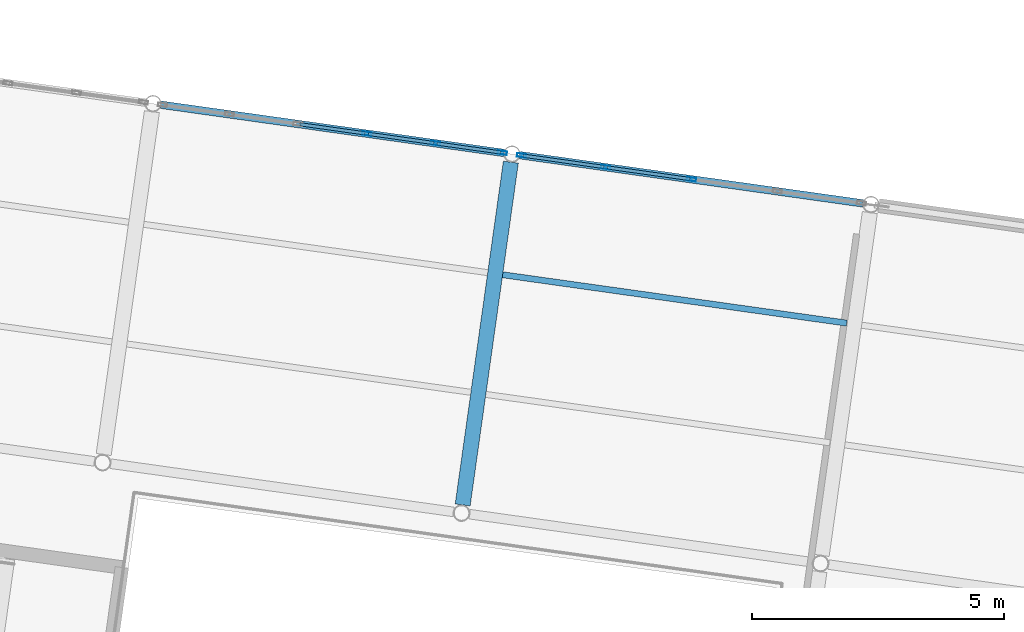
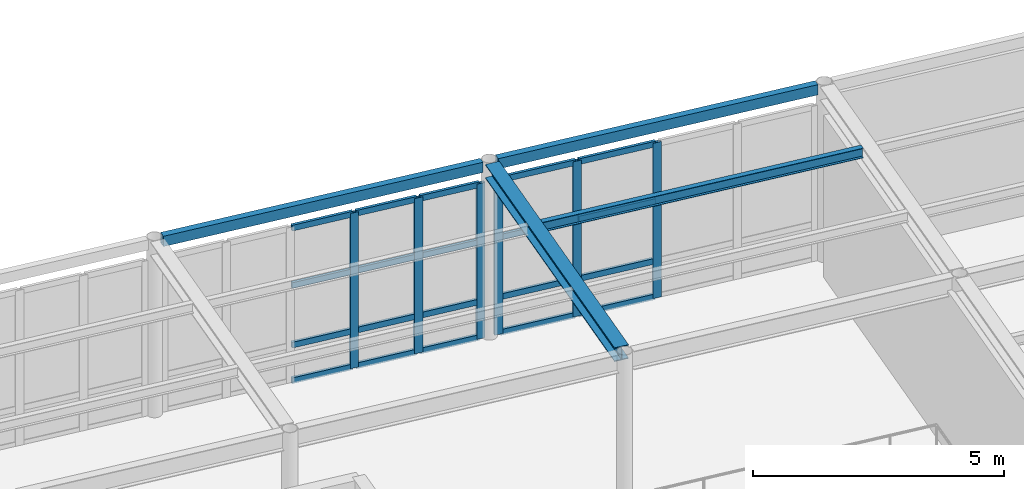
# One storey, part 40 of 80: 26 members, 4 beams, 2 elements without a shape of their own.
"""IFC4 building model written with IfcOpenShell, lengths in metres."""

from ifc_helpers import new_model, si_unit, direction, frame, origin, origin_2d, place, context, subcontext, project, spatial, hollow_rectangle, i_section, extrude, material, layer, layer_set, material_profile, profile_set, type_object, element, aggregate, save


model = new_model("IFC4")

# Units and contexts
model_context = context("Model", 3, precision=1e-05, world=origin(), true_north=direction((0.0, 1.0)))
body_context = subcontext(model_context, "Body", "Model", "MODEL_VIEW")
ifc_project = project(units=[si_unit("LENGTHUNIT", "METRE"), si_unit("AREAUNIT", "SQUARE_METRE"), si_unit("VOLUMEUNIT", "CUBIC_METRE"), si_unit("PLANEANGLEUNIT", "RADIAN"), si_unit("MASSUNIT", "GRAM", prefix="KILO")], contexts=[model_context])

# Site, building, storey
site_placement = place(None, origin())
site = spatial("IfcSite", under=ifc_project, at=site_placement, CompositionType="ELEMENT")
building_placement = place(site_placement, origin())
building = spatial("IfcBuilding", under=site, at=building_placement, Name="Kharisveld Research Institute", CompositionType="ELEMENT")
storey_placement = place(building_placement, frame((0.0, 0.0, 5.10009765625)))
storey = spatial("IfcBuildingStorey", under=building, at=storey_placement, Name="L01", CompositionType="ELEMENT", Elevation=5.10009765625)

# Beam
ifc_material_1 = material(Name="Steel S355JR", Category="steel")
ifc_material_profile_1 = material_profile(ifc_material_1, i_section(OverallWidth=0.300048828125, OverallDepth=0.340087890625, WebThickness=0.011962890625, FlangeThickness=0.021484375, at=origin_2d()))
ifc_profile_set_1 = profile_set([ifc_material_profile_1], Name="Steel S355JR")
beam_type_1 = type_object("IfcBeamType", Name="BM_ST_HEA300", PredefinedType="BEAM", material=ifc_profile_set_1)
beam_1_placement = place(storey_placement, frame((91.286376953125, 29.916259765625, 4.139892578125), z_axis=(0.139184107758, 0.990266521775, 0.0), x_axis=(-0.990266521775, 0.139184107758, 0.0)))
element("IfcBeam", 1, at=beam_1_placement, inside=storey, type_object=beam_type_1, Name="BM:V4:L01:V2_2", PredefinedType="BEAM", context=body_context, shape_type="SweptSolid", body=[
    extrude(i_section(OverallWidth=0.300048828125, OverallDepth=0.340087890625, WebThickness=0.011962890625, FlangeThickness=0.021484375, at=origin_2d()), origin(), (0.0, 0.0, 1.0), 6.8759765625),
])

# Curtain wall, members
ifc_material_2 = material(Name="Thermally Broken Aluminium Curtain Wall", Category="aluminium")
ifc_layer_1 = layer(ifc_material_2, 0.159912109375)
ifc_layer_set_1 = layer_set([ifc_layer_1], Name="CW_SYS_03")
curtain_wall_type_1 = type_object("IfcCurtainWallType", Name="CW_SYS_03", PredefinedType="NOTDEFINED", material=ifc_layer_set_1)
curtain_wall_1_placement = place(storey_placement, origin())
curtain_wall_1 = element("IfcCurtainWall", 2, at=curtain_wall_1_placement, inside=storey, type_object=curtain_wall_type_1, Name="CW:V4:L01:N1", PredefinedType="NOTDEFINED")
ifc_material_3 = material(Name="Anodised Aluminium AW-6063-T6", Category="aluminium")
ifc_material_profile_2 = material_profile(ifc_material_3, hollow_rectangle(XDim=0.070068359375, YDim=0.179931640625, WallThickness=0.00439453125, at=origin_2d()))
ifc_profile_set_2 = profile_set([ifc_material_profile_2], Name="Anodised Aluminium AW-6063-T6")
member_type_1 = type_object("IfcMemberType", Name="CW_MUL_180", PredefinedType="MULLION", material=ifc_profile_set_2)
member_1_placement = place(storey_placement, frame((89.3828125, 37.290771484375, 0.0), z_axis=(0.0, 0.0, 1.0), x_axis=(0.139173103207, 0.990268068426, 0.0)))
member_1 = element("IfcMember", 3, at=member_1_placement, type_object=member_type_1, Name="CW-03 mullion 4", PredefinedType="MULLION", context=body_context, shape_type="SweptSolid", body=[
    extrude(hollow_rectangle(XDim=0.070068359375, YDim=0.179931640625, WallThickness=0.00439453125, at=origin_2d()), origin(), (0.0, 0.0, 1.0), 3.77978515625),
])
member_2_placement = place(storey_placement, frame((90.746826171875, 37.09912109375, 0.0), z_axis=(0.0, 0.0, 1.0), x_axis=(0.139173103207, 0.990268068426, 0.0)))
member_2 = element("IfcMember", 4, at=member_2_placement, type_object=member_type_1, Name="CW-03 mullion 5", PredefinedType="MULLION", context=body_context, shape_type="SweptSolid", body=[
    extrude(hollow_rectangle(XDim=0.070068359375, YDim=0.179931640625, WallThickness=0.00439453125, at=origin_2d()), origin(), (0.0, 0.0, 1.0), 3.77978515625),
])
member_3_placement = place(storey_placement, frame((92.075927734375, 36.912353515625, 0.0), z_axis=(0.0, 0.0, 1.0), x_axis=(0.139173103207, 0.990268068426, 0.0)))
member_3 = element("IfcMember", 5, at=member_3_placement, type_object=member_type_1, Name="CW-03 mullion 6", PredefinedType="MULLION", context=body_context, shape_type="SweptSolid", body=[
    extrude(hollow_rectangle(XDim=0.070068359375, YDim=0.179931640625, WallThickness=0.00439453125, at=origin_2d()), origin(), (0.0, 0.0, 1.0), 3.77978515625),
])

ifc_material_4 = material(Name="Thermally Broken Aluminium Curtain Wall", Category="aluminium")
ifc_layer_2 = layer(ifc_material_4, 0.159912109375)
ifc_layer_set_2 = layer_set([ifc_layer_2], Name="CW_SYS_04")
curtain_wall_type_2 = type_object("IfcCurtainWallType", Name="CW_SYS_04", PredefinedType="NOTDEFINED", material=ifc_layer_set_2)
curtain_wall_2_placement = place(storey_placement, origin())
curtain_wall_2 = element("IfcCurtainWall", 6, at=curtain_wall_2_placement, inside=storey, type_object=curtain_wall_type_2, Name="CW:V4:L01:N2", PredefinedType="NOTDEFINED")
member_4_placement = place(storey_placement, frame((92.4560546875, 36.85888671875, 0.0), z_axis=(0.0, 0.0, 1.0), x_axis=(0.139173245605, 0.990268048413, 0.0)))
member_4 = element("IfcMember", 7, at=member_4_placement, type_object=member_type_1, Name="CW-04 mullion 1", PredefinedType="MULLION", context=body_context, shape_type="SweptSolid", body=[
    extrude(hollow_rectangle(XDim=0.070068359375, YDim=0.179931640625, WallThickness=0.00439453125, at=origin_2d()), origin(), (0.0, 0.0, 1.0), 3.77978515625),
])
member_5_placement = place(storey_placement, frame((94.126220703125, 36.624267578125, 0.0), z_axis=(0.0, 0.0, 1.0), x_axis=(0.139173245605, 0.990268048413, 0.0)))
member_5 = element("IfcMember", 8, at=member_5_placement, type_object=member_type_1, Name="CW-04 mullion 2", PredefinedType="MULLION", context=body_context, shape_type="SweptSolid", body=[
    extrude(hollow_rectangle(XDim=0.070068359375, YDim=0.179931640625, WallThickness=0.00439453125, at=origin_2d()), origin(), (0.0, 0.0, 1.0), 3.77978515625),
])
member_6_placement = place(storey_placement, frame((95.8310546875, 36.384765625, 0.0), z_axis=(0.0, 0.0, 1.0), x_axis=(0.139173245605, 0.990268048413, 0.0)))
member_6 = element("IfcMember", 9, at=member_6_placement, type_object=member_type_1, Name="CW-04 mullion 3", PredefinedType="MULLION", context=body_context, shape_type="SweptSolid", body=[
    extrude(hollow_rectangle(XDim=0.070068359375, YDim=0.179931640625, WallThickness=0.00439453125, at=origin_2d()), origin(), (0.0, 0.0, 1.0), 3.77978515625),
])

# Member
ifc_material_5 = material(Name="Anodised Aluminium AW-6063-T6", Category="aluminium")
ifc_material_profile_3 = material_profile(ifc_material_5, hollow_rectangle(XDim=0.06494140625, YDim=0.139892578125, WallThickness=0.00390625, at=origin_2d()))
ifc_profile_set_3 = profile_set([ifc_material_profile_3], Name="Anodised Aluminium AW-6063-T6")
member_type_2 = type_object("IfcMemberType", Name="CW_TRN_140", PredefinedType="USERDEFINED", material=ifc_profile_set_3)
member_7_placement = place(storey_placement, frame((88.0537109375, 37.477783203125, 0.032470703125), z_axis=(0.990249737739, -0.139303470555, 0.0), x_axis=(0.139303470555, 0.990249737739, 0.0)))
member_7 = element("IfcMember", 10, at=member_7_placement, type_object=member_type_2, Name="CW-03 transom 3.1", ObjectType="TRANSOM", PredefinedType="USERDEFINED", context=body_context, shape_type="SweptSolid", body=[
    extrude(hollow_rectangle(XDim=0.06494140625, YDim=0.139892578125, WallThickness=0.00390625, at=origin_2d()), origin(), (0.0, 0.0, 1.0), 1.307373046875),
])

member_8_placement = place(storey_placement, frame((88.0537109375, 37.477783203125, 0.89990234375), z_axis=(0.990249737739, -0.139303470555, 0.0), x_axis=(0.139303470555, 0.990249737739, 0.0)))
member_8 = element("IfcMember", 11, at=member_8_placement, type_object=member_type_2, Name="CW-03 transom 3.2", ObjectType="TRANSOM", PredefinedType="USERDEFINED", context=body_context, shape_type="SweptSolid", body=[
    extrude(hollow_rectangle(XDim=0.06494140625, YDim=0.139892578125, WallThickness=0.00390625, at=origin_2d()), origin(), (0.0, 0.0, 1.0), 1.307373046875),
])

member_9_placement = place(storey_placement, frame((88.0537109375, 37.477783203125, 2.349853515625), z_axis=(0.990249737739, -0.139303470555, 0.0), x_axis=(0.139303470555, 0.990249737739, 0.0)))
member_9 = element("IfcMember", 12, at=member_9_placement, type_object=member_type_2, Name="CW-03 transom 3.3", ObjectType="TRANSOM", PredefinedType="USERDEFINED", context=body_context, shape_type="SweptSolid", body=[
    extrude(hollow_rectangle(XDim=0.06494140625, YDim=0.139892578125, WallThickness=0.00390625, at=origin_2d()), origin(), (0.0, 0.0, 1.0), 1.307373046875),
])

member_10_placement = place(storey_placement, frame((88.0537109375, 37.477783203125, 3.747314453125), z_axis=(0.990249737739, -0.139303470555, 0.0), x_axis=(0.139303470555, 0.990249737739, 0.0)))
member_10 = element("IfcMember", 13, at=member_10_placement, type_object=member_type_2, Name="CW-03 transom 3.4", ObjectType="TRANSOM", PredefinedType="USERDEFINED", context=body_context, shape_type="SweptSolid", body=[
    extrude(hollow_rectangle(XDim=0.06494140625, YDim=0.139892578125, WallThickness=0.00390625, at=origin_2d()), origin(), (0.0, 0.0, 1.0), 1.307373046875),
])

member_11_placement = place(storey_placement, frame((89.41748046875, 37.2861328125, 0.032470703125), z_axis=(0.990249737739, -0.139303470555, 0.0), x_axis=(0.139303470555, 0.990249737739, 0.0)))
member_11 = element("IfcMember", 14, at=member_11_placement, type_object=member_type_2, Name="CW-03 transom 4.1", ObjectType="TRANSOM", PredefinedType="USERDEFINED", context=body_context, shape_type="SweptSolid", body=[
    extrude(hollow_rectangle(XDim=0.06494140625, YDim=0.139892578125, WallThickness=0.00390625, at=origin_2d()), origin(), (0.0, 0.0, 1.0), 1.307373046875),
])

member_12_placement = place(storey_placement, frame((89.41748046875, 37.2861328125, 0.89990234375), z_axis=(0.990249737739, -0.139303470555, 0.0), x_axis=(0.139303470555, 0.990249737739, 0.0)))
member_12 = element("IfcMember", 15, at=member_12_placement, type_object=member_type_2, Name="CW-03 transom 4.2", ObjectType="TRANSOM", PredefinedType="USERDEFINED", context=body_context, shape_type="SweptSolid", body=[
    extrude(hollow_rectangle(XDim=0.06494140625, YDim=0.139892578125, WallThickness=0.00390625, at=origin_2d()), origin(), (0.0, 0.0, 1.0), 1.307373046875),
])

member_13_placement = place(storey_placement, frame((89.41748046875, 37.2861328125, 2.349853515625), z_axis=(0.990249737739, -0.139303470555, 0.0), x_axis=(0.139303470555, 0.990249737739, 0.0)))
member_13 = element("IfcMember", 16, at=member_13_placement, type_object=member_type_2, Name="CW-03 transom 4.3", ObjectType="TRANSOM", PredefinedType="USERDEFINED", context=body_context, shape_type="SweptSolid", body=[
    extrude(hollow_rectangle(XDim=0.06494140625, YDim=0.139892578125, WallThickness=0.00390625, at=origin_2d()), origin(), (0.0, 0.0, 1.0), 1.307373046875),
])

member_14_placement = place(storey_placement, frame((89.41748046875, 37.2861328125, 3.747314453125), z_axis=(0.990249737739, -0.139303470555, 0.0), x_axis=(0.139303470555, 0.990249737739, 0.0)))
member_14 = element("IfcMember", 17, at=member_14_placement, type_object=member_type_2, Name="CW-03 transom 4.4", ObjectType="TRANSOM", PredefinedType="USERDEFINED", context=body_context, shape_type="SweptSolid", body=[
    extrude(hollow_rectangle(XDim=0.06494140625, YDim=0.139892578125, WallThickness=0.00390625, at=origin_2d()), origin(), (0.0, 0.0, 1.0), 1.307373046875),
])

member_15_placement = place(storey_placement, frame((90.781494140625, 37.09423828125, 0.032470703125), z_axis=(0.99027311215, -0.139137210525, 0.0), x_axis=(0.139137210525, 0.99027311215, 0.0)))
member_15 = element("IfcMember", 18, at=member_15_placement, type_object=member_type_2, Name="CW-03 transom 5.1", ObjectType="TRANSOM", PredefinedType="USERDEFINED", context=body_context, shape_type="SweptSolid", body=[
    extrude(hollow_rectangle(XDim=0.06494140625, YDim=0.139892578125, WallThickness=0.00390625, at=origin_2d()), origin(), (0.0, 0.0, 1.0), 1.272216796875),
])

member_16_placement = place(storey_placement, frame((90.781494140625, 37.09423828125, 0.89990234375), z_axis=(0.99027311215, -0.139137210525, 0.0), x_axis=(0.139137210525, 0.99027311215, 0.0)))
member_16 = element("IfcMember", 19, at=member_16_placement, type_object=member_type_2, Name="CW-03 transom 5.2", ObjectType="TRANSOM", PredefinedType="USERDEFINED", context=body_context, shape_type="SweptSolid", body=[
    extrude(hollow_rectangle(XDim=0.06494140625, YDim=0.139892578125, WallThickness=0.00390625, at=origin_2d()), origin(), (0.0, 0.0, 1.0), 1.272216796875),
])

member_17_placement = place(storey_placement, frame((90.781494140625, 37.09423828125, 2.349853515625), z_axis=(0.99027311215, -0.139137210525, 0.0), x_axis=(0.139137210525, 0.99027311215, 0.0)))
member_17 = element("IfcMember", 20, at=member_17_placement, type_object=member_type_2, Name="CW-03 transom 5.3", ObjectType="TRANSOM", PredefinedType="USERDEFINED", context=body_context, shape_type="SweptSolid", body=[
    extrude(hollow_rectangle(XDim=0.06494140625, YDim=0.139892578125, WallThickness=0.00390625, at=origin_2d()), origin(), (0.0, 0.0, 1.0), 1.272216796875),
])

member_18_placement = place(storey_placement, frame((90.781494140625, 37.09423828125, 3.747314453125), z_axis=(0.99027311215, -0.139137210525, 0.0), x_axis=(0.139137210525, 0.99027311215, 0.0)))
member_18 = element("IfcMember", 21, at=member_18_placement, type_object=member_type_2, Name="CW-03 transom 5.4", ObjectType="TRANSOM", PredefinedType="USERDEFINED", context=body_context, shape_type="SweptSolid", body=[
    extrude(hollow_rectangle(XDim=0.06494140625, YDim=0.139892578125, WallThickness=0.00390625, at=origin_2d()), origin(), (0.0, 0.0, 1.0), 1.272216796875),
])

aggregate(curtain_wall_1, [member_1, member_2, member_3, member_7, member_8, member_9, member_10, member_11, member_12, member_13, member_14, member_15, member_16, member_17, member_18])

member_19_placement = place(storey_placement, frame((92.49072265625, 36.85400390625, 0.032470703125), z_axis=(0.990279019232, -0.13909516192, 0.0), x_axis=(0.13909516192, 0.990279019232, 0.0)))
member_19 = element("IfcMember", 22, at=member_19_placement, type_object=member_type_2, Name="CW-04 transom 1.1", ObjectType="TRANSOM", PredefinedType="USERDEFINED", context=body_context, shape_type="SweptSolid", body=[
    extrude(hollow_rectangle(XDim=0.06494140625, YDim=0.139892578125, WallThickness=0.00390625, at=origin_2d()), origin(), (0.0, 0.0, 1.0), 1.616455078125),
])

member_20_placement = place(storey_placement, frame((92.49072265625, 36.85400390625, 0.89990234375), z_axis=(0.990279019232, -0.13909516192, 0.0), x_axis=(0.13909516192, 0.990279019232, 0.0)))
member_20 = element("IfcMember", 23, at=member_20_placement, type_object=member_type_2, Name="CW-04 transom 1.2", ObjectType="TRANSOM", PredefinedType="USERDEFINED", context=body_context, shape_type="SweptSolid", body=[
    extrude(hollow_rectangle(XDim=0.06494140625, YDim=0.139892578125, WallThickness=0.00390625, at=origin_2d()), origin(), (0.0, 0.0, 1.0), 1.616455078125),
])

member_21_placement = place(storey_placement, frame((92.49072265625, 36.85400390625, 2.349853515625), z_axis=(0.990279019232, -0.13909516192, 0.0), x_axis=(0.13909516192, 0.990279019232, 0.0)))
member_21 = element("IfcMember", 24, at=member_21_placement, type_object=member_type_2, Name="CW-04 transom 1.3", ObjectType="TRANSOM", PredefinedType="USERDEFINED", context=body_context, shape_type="SweptSolid", body=[
    extrude(hollow_rectangle(XDim=0.06494140625, YDim=0.139892578125, WallThickness=0.00390625, at=origin_2d()), origin(), (0.0, 0.0, 1.0), 1.616455078125),
])

member_22_placement = place(storey_placement, frame((92.49072265625, 36.85400390625, 3.747314453125), z_axis=(0.990279019232, -0.13909516192, 0.0), x_axis=(0.13909516192, 0.990279019232, 0.0)))
member_22 = element("IfcMember", 25, at=member_22_placement, type_object=member_type_2, Name="CW-04 transom 1.4", ObjectType="TRANSOM", PredefinedType="USERDEFINED", context=body_context, shape_type="SweptSolid", body=[
    extrude(hollow_rectangle(XDim=0.06494140625, YDim=0.139892578125, WallThickness=0.00390625, at=origin_2d()), origin(), (0.0, 0.0, 1.0), 1.616455078125),
])

member_23_placement = place(storey_placement, frame((94.160888671875, 36.619384765625, 0.032470703125), z_axis=(0.990277907482, -0.139103076719, 0.0), x_axis=(0.139103076719, 0.990277907482, 0.0)))
member_23 = element("IfcMember", 26, at=member_23_placement, type_object=member_type_2, Name="CW-04 transom 2.1", ObjectType="TRANSOM", PredefinedType="USERDEFINED", context=body_context, shape_type="SweptSolid", body=[
    extrude(hollow_rectangle(XDim=0.06494140625, YDim=0.139892578125, WallThickness=0.00390625, at=origin_2d()), origin(), (0.0, 0.0, 1.0), 1.651611328125),
])

member_24_placement = place(storey_placement, frame((94.160888671875, 36.619384765625, 0.89990234375), z_axis=(0.990277907482, -0.139103076719, 0.0), x_axis=(0.139103076719, 0.990277907482, 0.0)))
member_24 = element("IfcMember", 27, at=member_24_placement, type_object=member_type_2, Name="CW-04 transom 2.2", ObjectType="TRANSOM", PredefinedType="USERDEFINED", context=body_context, shape_type="SweptSolid", body=[
    extrude(hollow_rectangle(XDim=0.06494140625, YDim=0.139892578125, WallThickness=0.00390625, at=origin_2d()), origin(), (0.0, 0.0, 1.0), 1.651611328125),
])

member_25_placement = place(storey_placement, frame((94.160888671875, 36.619384765625, 2.349853515625), z_axis=(0.990277907482, -0.139103076719, 0.0), x_axis=(0.139103076719, 0.990277907482, 0.0)))
member_25 = element("IfcMember", 28, at=member_25_placement, type_object=member_type_2, Name="CW-04 transom 2.3", ObjectType="TRANSOM", PredefinedType="USERDEFINED", context=body_context, shape_type="SweptSolid", body=[
    extrude(hollow_rectangle(XDim=0.06494140625, YDim=0.139892578125, WallThickness=0.00390625, at=origin_2d()), origin(), (0.0, 0.0, 1.0), 1.651611328125),
])

member_26_placement = place(storey_placement, frame((94.160888671875, 36.619384765625, 3.747314453125), z_axis=(0.990277907482, -0.139103076719, 0.0), x_axis=(0.139103076719, 0.990277907482, 0.0)))
member_26 = element("IfcMember", 29, at=member_26_placement, type_object=member_type_2, Name="CW-04 transom 2.4", ObjectType="TRANSOM", PredefinedType="USERDEFINED", context=body_context, shape_type="SweptSolid", body=[
    extrude(hollow_rectangle(XDim=0.06494140625, YDim=0.139892578125, WallThickness=0.00390625, at=origin_2d()), origin(), (0.0, 0.0, 1.0), 1.651611328125),
])

aggregate(curtain_wall_2, [member_4, member_5, member_6, member_19, member_20, member_21, member_22, member_23, member_24, member_25, member_26])

# Beams
ifc_material_6 = material(Name="Steel S355JR", Category="steel")
ifc_material_profile_4 = material_profile(ifc_material_6, i_section(OverallWidth=0.1201171875, OverallDepth=0.239990234375, WebThickness=0.006103515625, FlangeThickness=0.009765625, at=origin_2d()))
ifc_profile_set_4 = profile_set([ifc_material_profile_4], Name="Steel S355JR")
beam_type_2 = type_object("IfcBeamType", Name="JS_ST_IPE240", PredefinedType="JOIST", material=ifc_profile_set_4)
beam_2_placement = place(storey_placement, frame((92.08056640625, 34.48828125, 4.18994140625), z_axis=(0.990264734633, -0.139196822312, 0.0), x_axis=(0.139196822312, 0.990264734633, 0.0)))
element("IfcBeam", 30, at=beam_2_placement, inside=storey, type_object=beam_type_2, Name="BM:V4:L01:J_2_2_R2", PredefinedType="JOIST", context=body_context, shape_type="SweptSolid", body=[
    extrude(i_section(OverallWidth=0.1201171875, OverallDepth=0.239990234375, WebThickness=0.006103515625, FlangeThickness=0.009765625, at=origin_2d()), origin(), (0.0, 0.0, 1.0), 6.89990234375),
])
ifc_material_7 = material(Name="Steel S355J2H", Category="steel")
ifc_material_profile_5 = material_profile(ifc_material_7, hollow_rectangle(XDim=0.14990234375, YDim=0.25, WallThickness=0.010009765625, at=origin_2d()))
ifc_profile_set_5 = profile_set([ifc_material_profile_5], Name="Steel S355J2H")
beam_type_3 = type_object("IfcBeamType", Name="SP_ST_RHS250", PredefinedType="SPANDREL", material=ifc_profile_set_5)
for number, where, z_axis, x_axis, name in (
    (31, (85.29638671875, 37.865234375, 4.184814453125), (0.990267209571, -0.139179214138, 0.0), (0.139179214138, 0.990267209571, 0.0), "BM:V4:L01:U1_3"),
    (32, (92.42626953125, 36.863037109375, 4.184814453125), (0.990272102433, -0.139144396738, 0.0), (0.139144396738, 0.990272102433, 0.0), "BM:V4:L01:U2_3"),
):
    element("IfcBeam", number, at=place(storey_placement, frame(where, z_axis=z_axis, x_axis=x_axis)), inside=storey, type_object=beam_type_3, Name=name, PredefinedType="SPANDREL", context=body_context, shape_type="SweptSolid", body=[
        extrude(hollow_rectangle(XDim=0.14990234375, YDim=0.25, WallThickness=0.010009765625, at=origin_2d()), origin(), (0.0, 0.0, 1.0), 6.876220703125),
    ])

save(model, "model.ifc")
